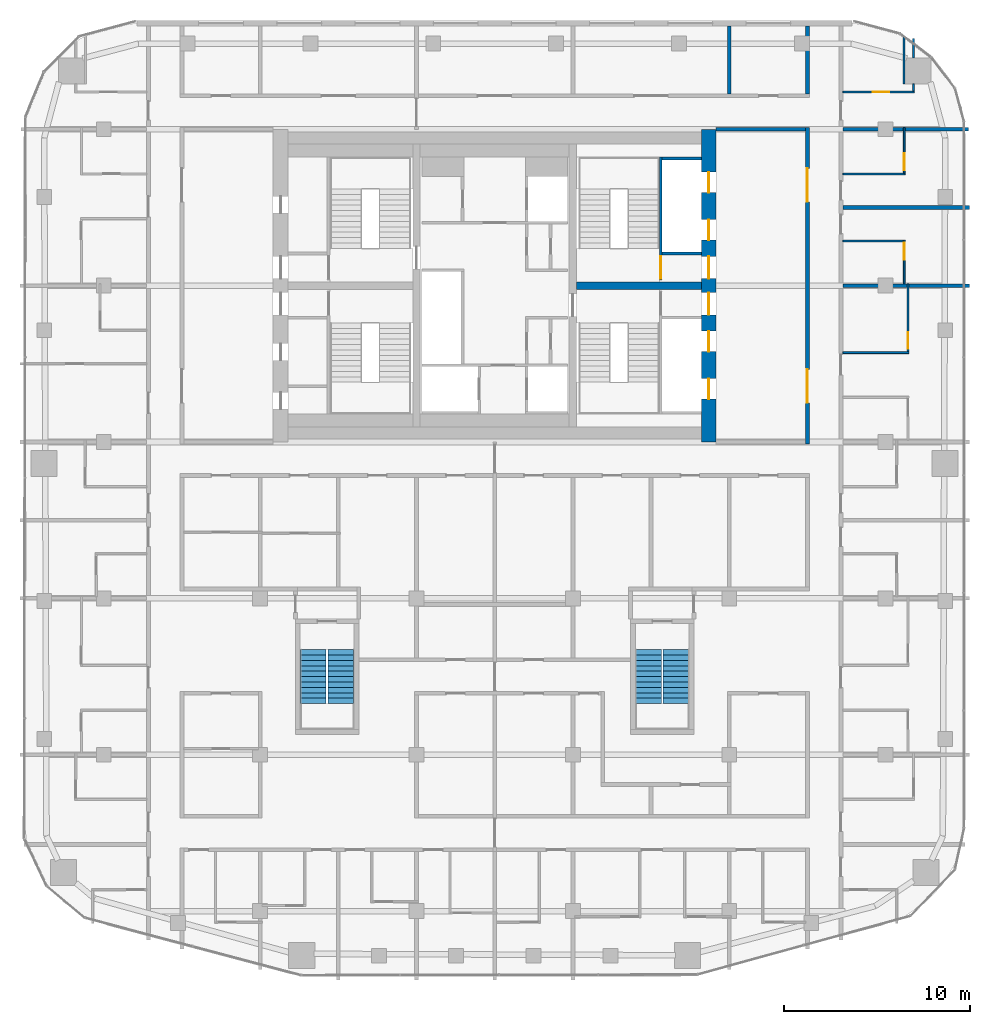
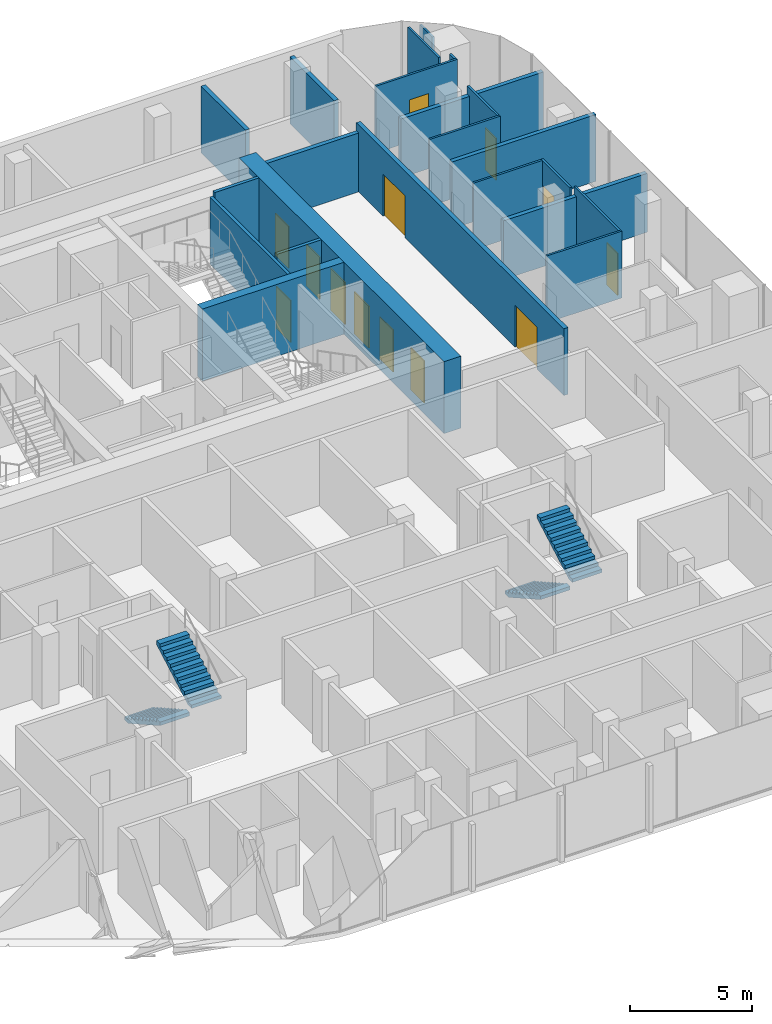
# One storey, part 20 of 22: 22 walls, 13 doors, 4 stair flights, 13 openings, 2 elements without a shape of their own.
"""IFC4 building model written with IfcOpenShell, lengths in metres."""

from ifc_helpers import new_model, si_unit, direction, frame, frame_2d, origin, place, context, subcontext, project, spatial, polyline, rectangle, outline, extrude, material, layer, layer_set, type_object, element, fill, aggregate, save


model = new_model("IFC4")

# Units and contexts
model_context = context("Model", 3, precision=1e-05, world=origin(), true_north=direction((0.0, 1.0)))
body_context = subcontext(model_context, "Body", "Model", "MODEL_VIEW")
ifc_project = project(units=[si_unit("LENGTHUNIT", "METRE"), si_unit("AREAUNIT", "SQUARE_METRE"), si_unit("VOLUMEUNIT", "CUBIC_METRE"), si_unit("PLANEANGLEUNIT", "RADIAN"), si_unit("MASSUNIT", "GRAM", prefix="KILO")], contexts=[model_context])

# Site, building, storey
site_placement = place(None, origin())
site = spatial("IfcSite", under=ifc_project, at=site_placement, CompositionType="ELEMENT")
building_placement = place(site_placement, origin())
building = spatial("IfcBuilding", under=site, at=building_placement, Name="Marenta Gate Hotel Tower", CompositionType="ELEMENT")
storey_placement = place(building_placement, frame((0.0, 0.0, 209.300048828125)))
storey = spatial("IfcBuildingStorey", under=building, at=storey_placement, Name="L48", CompositionType="ELEMENT", Elevation=209.300048828125)

# Wall, openings, doors
ifc_material_1 = material(Name="Concrete blockwork", Category="masonry")
ifc_layer_1 = layer(ifc_material_1, 0.199951171875)
ifc_layer_set_1 = layer_set([ifc_layer_1], Name="Concrete blockwork")
wall_type_1 = type_object("IfcWallType", Name="Core boundary wall 200 REI 180", PredefinedType="PARTITIONING", material=ifc_layer_set_1)
wall_1_placement = place(storey_placement, frame((16.800048828125, -0.10009765625, 0.0), z_axis=(0.0, 0.0, 1.0), x_axis=(0.0, 1.0, 0.0)))
wall_1 = element("IfcWall", 1, at=wall_1_placement, inside=storey, type_object=wall_type_1, Name="L48-CP-BW-E", PredefinedType="PARTITIONING", context=body_context, shape_type="SweptSolid", body=[
    extrude(rectangle(XDim=17.0, YDim=0.199951171875, at=frame_2d((8.5, 0.0))), origin(), (0.0, 0.0, 1.0), 3.33984375),
])
opening_1_placement = place(wall_1_placement, frame((2.199951171875, 0.0, 0.0)))
opening_1 = element("IfcOpeningElement", 2, at=opening_1_placement, cuts=wall_1, Name="Opening ED-Ea-B", PredefinedType="OPENING", context=body_context, shape_type="SweptSolid", body=[
    extrude(rectangle(XDim=1.800048828125, YDim=2.10009765625, at=frame_2d((0.89990234375, 1.050048828125))), frame((0.0, 0.10009765625, 0.0), z_axis=(0.0, -1.0, 0.0), x_axis=(1.0, 0.0, 0.0)), (0.0, 0.0, 1.0), 0.199951171875),
])
opening_2_placement = place(wall_1_placement, frame((13.0, 0.0, 0.0)))
opening_2 = element("IfcOpeningElement", 3, at=opening_2_placement, cuts=wall_1, Name="Opening ED-Eb-B", PredefinedType="OPENING", context=body_context, shape_type="SweptSolid", body=[
    extrude(rectangle(XDim=1.800048828125, YDim=2.10009765625, at=frame_2d((0.89990234375, 1.050048828125))), frame((0.0, 0.10009765625, 0.0), z_axis=(0.0, -1.0, 0.0), x_axis=(1.0, 0.0, 0.0)), (0.0, 0.0, 1.0), 0.199951171875),
])
ifc_material_2 = material(Name="Steel", Category="steel")
door_type_1 = type_object("IfcDoorType", Name="Core lobby entrance door 1800x2100 EI 60", OperationType="DOUBLE_DOOR_SINGLE_SWING", PredefinedType="DOOR", material=ifc_material_2)
door_1_placement = place(opening_1_placement, origin())
door_1 = element("IfcDoor", 4, at=door_1_placement, inside=storey, type_object=door_type_1, Name="ED-Ea-B", OperationType="DOUBLE_DOOR_SINGLE_SWING", OverallHeight=2.10009765625, OverallWidth=1.800048828125, PredefinedType="DOOR", context=body_context, shape_type="SweptSolid", body=[
    extrude(rectangle(XDim=1.800048828125, YDim=2.10009765625, at=frame_2d((0.89990234375, 1.050048828125))), frame((0.0, 0.02490234375, 0.0), z_axis=(0.0, -1.0, 0.0), x_axis=(1.0, 0.0, 0.0)), (0.0, 0.0, 1.0), 0.050048828125),
])
fill(opening_1, door_1)
door_2_placement = place(opening_2_placement, origin())
door_2 = element("IfcDoor", 5, at=door_2_placement, inside=storey, type_object=door_type_1, Name="ED-Eb-B", OperationType="DOUBLE_DOOR_SINGLE_SWING", OverallHeight=2.10009765625, OverallWidth=1.800048828125, PredefinedType="DOOR", context=body_context, shape_type="SweptSolid", body=[
    extrude(rectangle(XDim=1.800048828125, YDim=2.10009765625, at=frame_2d((0.89990234375, 1.050048828125))), frame((0.0, 0.02490234375, 0.0), z_axis=(0.0, -1.0, 0.0), x_axis=(1.0, 0.0, 0.0)), (0.0, 0.0, 1.0), 0.050048828125),
])
fill(opening_2, door_2)

# Walls
wall_2_placement = place(storey_placement, frame((11.89990234375, 16.800048828125, 0.0), z_axis=(0.0, 0.0, 1.0), x_axis=(1.0, 0.0, 0.0)))
element("IfcWall", 6, at=wall_2_placement, inside=storey, type_object=wall_type_1, Name="L48-CP-EW-EN", PredefinedType="PARTITIONING", context=body_context, shape_type="SweptSolid", body=[
    extrude(rectangle(XDim=4.800048828125, YDim=0.199951171875, at=frame_2d((2.39990234375, 0.0))), origin(), (0.0, 0.0, 1.0), 2.93994140625),
])
ifc_material_3 = material(Name="Concrete C40", Category="concrete")
ifc_layer_2 = layer(ifc_material_3, 0.14990234375)
ifc_layer_set_2 = layer_set([ifc_layer_2], Name="Concrete C40")
wall_type_2 = type_object("IfcWallType", Name="Core shaft wall 150 REI 180", PredefinedType="SHEAR", material=ifc_layer_set_2)
for number, where, z_axis, x_axis, name in (
    (7, (9.0, 10.125, 0.0), (0.0, 0.0, 1.0), (1.0, 0.0, 0.0), "L48-SHF-SW-EN-2"),
    (8, (9.0, 15.22509765625, 0.0), (0.0, 0.0, 1.0), (1.0, 0.0, 0.0), "L48-SHF-SW-EN-5"),
):
    element("IfcWall", number, at=place(storey_placement, frame(where, z_axis=z_axis, x_axis=x_axis)), inside=storey, type_object=wall_type_2, Name=name, PredefinedType="SHEAR", context=body_context, shape_type="SweptSolid", body=[
        extrude(rectangle(XDim=2.10009765625, YDim=0.14990234375, at=frame_2d((1.050048828125, 0.0))), origin(), (0.0, 0.0, 1.0), 3.599853515625),
    ])

# Wall, opening, door
ifc_material_4 = material(Name="Concrete C40", Category="concrete")
ifc_layer_3 = layer(ifc_material_4, 0.14990234375)
ifc_layer_set_3 = layer_set([ifc_layer_3], Name="Concrete C40")
wall_type_3 = type_object("IfcWallType", Name="Core stair enclosure wall 150 REI 180", PredefinedType="SHEAR", material=ifc_layer_set_3)
wall_3_placement = place(storey_placement, frame((8.925048828125, 8.699951171875, 0.0), z_axis=(0.0, 0.0, 1.0), x_axis=(0.0, 1.0, 0.0)))
wall_3 = element("IfcWall", 9, at=wall_3_placement, inside=storey, type_object=wall_type_3, Name="L48-SHF-SW-EN-3", PredefinedType="SHEAR", context=body_context, shape_type="SweptSolid", body=[
    extrude(rectangle(XDim=6.60009765625, YDim=0.14990234375, at=frame_2d((3.300048828125, 0.0))), origin(), (0.0, 0.0, 1.0), 3.33984375),
])
opening_3_placement = place(wall_3_placement, frame((0.074951171875, 0.0, 0.0)))
opening_3 = element("IfcOpeningElement", 10, at=opening_3_placement, cuts=wall_3, Name="Opening SD-EN", PredefinedType="OPENING", context=body_context, shape_type="SweptSolid", body=[
    extrude(rectangle(XDim=1.199951171875, YDim=2.10009765625, at=frame_2d((0.60009765625, 1.050048828125))), frame((0.0, 0.074951171875, 0.0), z_axis=(0.0, -1.0, 0.0), x_axis=(1.0, 0.0, 0.0)), (0.0, 0.0, 1.0), 0.14990234375),
])
ifc_material_5 = material(Name="Steel", Category="steel")
door_type_2 = type_object("IfcDoorType", Name="Core stair door 1200x2100 FD60", OperationType="SINGLE_SWING_LEFT", PredefinedType="DOOR", material=ifc_material_5)
door_3_placement = place(opening_3_placement, origin())
door_3 = element("IfcDoor", 11, at=door_3_placement, inside=storey, type_object=door_type_2, Name="SD-EN", OperationType="SINGLE_SWING_LEFT", OverallHeight=2.10009765625, OverallWidth=1.199951171875, PredefinedType="DOOR", context=body_context, shape_type="SweptSolid", body=[
    extrude(rectangle(XDim=1.199951171875, YDim=2.10009765625, at=frame_2d((0.60009765625, 1.050048828125))), frame((0.0, 0.02490234375, 0.0), z_axis=(0.0, -1.0, 0.0), x_axis=(1.0, 0.0, 0.0)), (0.0, 0.0, 1.0), 0.050048828125),
])
fill(opening_3, door_3)

# Wall, openings, doors
ifc_material_6 = material(Name="Concrete C60", Category="concrete")
ifc_layer_4 = layer(ifc_material_6, 0.800048828125)
ifc_layer_set_4 = layer_set([ifc_layer_4], Name="Concrete C60")
wall_type_4 = type_object("IfcWallType", Name="Core wall 800 C60", PredefinedType="SHEAR", material=ifc_layer_set_4)
wall_4_placement = place(storey_placement, frame((11.5, 0.0, 0.0), z_axis=(0.0, 0.0, 1.0), x_axis=(0.0, 1.0, 0.0)))
wall_4 = element("IfcWall", 12, at=wall_4_placement, inside=storey, type_object=wall_type_4, Name="L48-CORE-E", PredefinedType="SHEAR", context=body_context, shape_type="SweptSolid", body=[
    extrude(rectangle(XDim=16.800048828125, YDim=0.800048828125, at=frame_2d((8.39990234375, 0.0))), origin(), (0.0, 0.0, 1.0), 3.599853515625),
])
opening_4_placement = place(wall_4_placement, frame((2.300048828125, 0.0, 0.0)))
opening_4 = element("IfcOpeningElement", 13, at=opening_4_placement, cuts=wall_4, Name="Opening LD-HR1", PredefinedType="OPENING", context=body_context, shape_type="SweptSolid", body=[
    extrude(rectangle(XDim=1.10009765625, YDim=2.10009765625, at=frame_2d((0.550048828125, 1.050048828125))), frame((0.0, 0.39990234375, 0.0), z_axis=(0.0, -1.0, 0.0), x_axis=(1.0, 0.0, 0.0)), (0.0, 0.0, 1.0), 0.800048828125),
])
opening_5_placement = place(wall_4_placement, frame((4.85009765625, 0.0, 0.0)))
opening_5 = element("IfcOpeningElement", 14, at=opening_5_placement, cuts=wall_4, Name="Opening LD-HR2", PredefinedType="OPENING", context=body_context, shape_type="SweptSolid", body=[
    extrude(rectangle(XDim=1.10009765625, YDim=2.10009765625, at=frame_2d((0.550048828125, 1.050048828125))), frame((0.0, 0.39990234375, 0.0), z_axis=(0.0, -1.0, 0.0), x_axis=(1.0, 0.0, 0.0)), (0.0, 0.0, 1.0), 0.800048828125),
])
opening_6_placement = place(wall_4_placement, frame((6.824951171875, 0.0, 0.0)))
opening_6 = element("IfcOpeningElement", 15, at=opening_6_placement, cuts=wall_4, Name="Opening PD-ES", PredefinedType="OPENING", context=body_context, shape_type="SweptSolid", body=[
    extrude(rectangle(XDim=1.199951171875, YDim=2.10009765625, at=frame_2d((0.60009765625, 1.050048828125))), frame((0.0, 0.39990234375, 0.0), z_axis=(0.0, -1.0, 0.0), x_axis=(1.0, 0.0, 0.0)), (0.0, 0.0, 1.0), 0.800048828125),
])
opening_7_placement = place(wall_4_placement, frame((13.39990234375, 0.0, 0.0)))
opening_7 = element("IfcOpeningElement", 16, at=opening_7_placement, cuts=wall_4, Name="Opening LD-HR4", PredefinedType="OPENING", context=body_context, shape_type="SweptSolid", body=[
    extrude(rectangle(XDim=1.10009765625, YDim=2.10009765625, at=frame_2d((0.550048828125, 1.050048828125))), frame((0.0, 0.39990234375, 0.0), z_axis=(0.0, -1.0, 0.0), x_axis=(1.0, 0.0, 0.0)), (0.0, 0.0, 1.0), 0.800048828125),
])
opening_8_placement = place(wall_4_placement, frame((10.85009765625, 0.0, 0.0)))
opening_8 = element("IfcOpeningElement", 17, at=opening_8_placement, cuts=wall_4, Name="Opening LD-HR3", PredefinedType="OPENING", context=body_context, shape_type="SweptSolid", body=[
    extrude(rectangle(XDim=1.10009765625, YDim=2.10009765625, at=frame_2d((0.550048828125, 1.050048828125))), frame((0.0, 0.39990234375, 0.0), z_axis=(0.0, -1.0, 0.0), x_axis=(1.0, 0.0, 0.0)), (0.0, 0.0, 1.0), 0.800048828125),
])
opening_9_placement = place(wall_4_placement, frame((8.77490234375, 0.0, 0.0)))
opening_9 = element("IfcOpeningElement", 18, at=opening_9_placement, cuts=wall_4, Name="Opening PD-EN", PredefinedType="OPENING", context=body_context, shape_type="SweptSolid", body=[
    extrude(rectangle(XDim=1.199951171875, YDim=2.10009765625, at=frame_2d((0.60009765625, 1.050048828125))), frame((0.0, 0.39990234375, 0.0), z_axis=(0.0, -1.0, 0.0), x_axis=(1.0, 0.0, 0.0)), (0.0, 0.0, 1.0), 0.800048828125),
])
ifc_material_7 = material(Name="Steel", Category="steel")
door_type_3 = type_object("IfcDoorType", Name="Core lift landing door 1100x2100 E 60", OperationType="SLIDING_TO_LEFT", PredefinedType="DOOR", material=ifc_material_7)
door_4_placement = place(opening_4_placement, origin())
door_4 = element("IfcDoor", 19, at=door_4_placement, inside=storey, type_object=door_type_3, Name="LD-HR1", OperationType="SLIDING_TO_LEFT", OverallHeight=2.10009765625, OverallWidth=1.10009765625, PredefinedType="DOOR", context=body_context, shape_type="SweptSolid", body=[
    extrude(rectangle(XDim=1.10009765625, YDim=2.10009765625, at=frame_2d((0.550048828125, 1.050048828125))), frame((0.0, 0.02490234375, 0.0), z_axis=(0.0, -1.0, 0.0), x_axis=(1.0, 0.0, 0.0)), (0.0, 0.0, 1.0), 0.050048828125),
])
fill(opening_4, door_4)
door_5_placement = place(opening_5_placement, origin())
door_5 = element("IfcDoor", 20, at=door_5_placement, inside=storey, type_object=door_type_3, Name="LD-HR2", OperationType="SLIDING_TO_LEFT", OverallHeight=2.10009765625, OverallWidth=1.10009765625, PredefinedType="DOOR", context=body_context, shape_type="SweptSolid", body=[
    extrude(rectangle(XDim=1.10009765625, YDim=2.10009765625, at=frame_2d((0.550048828125, 1.050048828125))), frame((0.0, 0.02490234375, 0.0), z_axis=(0.0, -1.0, 0.0), x_axis=(1.0, 0.0, 0.0)), (0.0, 0.0, 1.0), 0.050048828125),
])
fill(opening_5, door_5)
door_6_placement = place(opening_7_placement, origin())
door_6 = element("IfcDoor", 21, at=door_6_placement, inside=storey, type_object=door_type_3, Name="LD-HR4", OperationType="SLIDING_TO_LEFT", OverallHeight=2.10009765625, OverallWidth=1.10009765625, PredefinedType="DOOR", context=body_context, shape_type="SweptSolid", body=[
    extrude(rectangle(XDim=1.10009765625, YDim=2.10009765625, at=frame_2d((0.550048828125, 1.050048828125))), frame((0.0, 0.02490234375, 0.0), z_axis=(0.0, -1.0, 0.0), x_axis=(1.0, 0.0, 0.0)), (0.0, 0.0, 1.0), 0.050048828125),
])
fill(opening_7, door_6)
door_7_placement = place(opening_8_placement, origin())
door_7 = element("IfcDoor", 22, at=door_7_placement, inside=storey, type_object=door_type_3, Name="LD-HR3", OperationType="SLIDING_TO_LEFT", OverallHeight=2.10009765625, OverallWidth=1.10009765625, PredefinedType="DOOR", context=body_context, shape_type="SweptSolid", body=[
    extrude(rectangle(XDim=1.10009765625, YDim=2.10009765625, at=frame_2d((0.550048828125, 1.050048828125))), frame((0.0, 0.02490234375, 0.0), z_axis=(0.0, -1.0, 0.0), x_axis=(1.0, 0.0, 0.0)), (0.0, 0.0, 1.0), 0.050048828125),
])
fill(opening_8, door_7)
ifc_material_8 = material(Name="Steel", Category="steel")
door_type_4 = type_object("IfcDoorType", Name="Core lobby door 1200x2100 FD60", OperationType="SINGLE_SWING_LEFT", PredefinedType="DOOR", material=ifc_material_8)
door_8_placement = place(opening_6_placement, origin())
door_8 = element("IfcDoor", 23, at=door_8_placement, inside=storey, type_object=door_type_4, Name="PD-ES", OperationType="SINGLE_SWING_LEFT", OverallHeight=2.10009765625, OverallWidth=1.199951171875, PredefinedType="DOOR", context=body_context, shape_type="SweptSolid", body=[
    extrude(rectangle(XDim=1.199951171875, YDim=2.10009765625, at=frame_2d((0.60009765625, 1.050048828125))), frame((0.0, 0.02490234375, 0.0), z_axis=(0.0, -1.0, 0.0), x_axis=(1.0, 0.0, 0.0)), (0.0, 0.0, 1.0), 0.050048828125),
])
fill(opening_6, door_8)
door_9_placement = place(opening_9_placement, origin())
door_9 = element("IfcDoor", 24, at=door_9_placement, inside=storey, type_object=door_type_4, Name="PD-EN", OperationType="SINGLE_SWING_LEFT", OverallHeight=2.10009765625, OverallWidth=1.199951171875, PredefinedType="DOOR", context=body_context, shape_type="SweptSolid", body=[
    extrude(rectangle(XDim=1.199951171875, YDim=2.10009765625, at=frame_2d((0.60009765625, 1.050048828125))), frame((0.0, 0.02490234375, 0.0), z_axis=(0.0, -1.0, 0.0), x_axis=(1.0, 0.0, 0.0)), (0.0, 0.0, 1.0), 0.050048828125),
])
fill(opening_9, door_9)

# Walls
ifc_material_9 = material(Name="Concrete C60", Category="concrete")
ifc_layer_5 = layer(ifc_material_9, 0.39990234375)
ifc_layer_set_5 = layer_set([ifc_layer_5], Name="Concrete C60")
wall_type_5 = type_object("IfcWallType", Name="Core web 400 C60", PredefinedType="SHEAR", material=ifc_layer_set_5)
wall_5_placement = place(storey_placement, frame((4.39990234375, 8.39990234375, 0.0), z_axis=(0.0, 0.0, 1.0), x_axis=(1.0, 0.0, 0.0)))
element("IfcWall", 25, at=wall_5_placement, inside=storey, type_object=wall_type_5, Name="L48-CORE-W4", PredefinedType="SHEAR", context=body_context, shape_type="SweptSolid", body=[
    extrude(rectangle(XDim=6.7001953125, YDim=0.39990234375, at=frame_2d((3.35009765625, 0.0))), origin(), (0.0, 0.0, 1.0), 3.599853515625),
])
ifc_material_10 = material(Name="Gypsum board on steel stud", Category="steel")
ifc_layer_6 = layer(ifc_material_10, 0.199951171875)
ifc_layer_set_6 = layer_set([ifc_layer_6], Name="Gypsum board on steel stud")
wall_type_6 = type_object("IfcWallType", Name="Room corridor wall 200 EI 60", PredefinedType="PARTITIONING", material=ifc_layer_set_6)
wall_6_placement = place(storey_placement, frame((16.800048828125, 18.699951171875, 0.0), z_axis=(0.0, 0.0, 1.0), x_axis=(0.0, 1.0, 0.0)))
element("IfcWall", 26, at=wall_6_placement, inside=storey, type_object=wall_type_6, Name="L48-PTN-W034", PredefinedType="PARTITIONING", context=body_context, shape_type="SweptSolid", body=[
    extrude(rectangle(XDim=3.64013671875, YDim=0.199951171875, at=frame_2d((1.820068359375, 0.0))), origin(), (0.0, 0.0, 1.0), 3.33984375),
])
ifc_material_11 = material(Name="Gypsum board on steel stud", Category="steel")
ifc_layer_7 = layer(ifc_material_11, 0.10009765625)
ifc_layer_set_7 = layer_set([ifc_layer_7], Name="Gypsum board on steel stud")
wall_type_7 = type_object("IfcWallType", Name="Room partition 100", PredefinedType="PARTITIONING", material=ifc_layer_set_7)
wall_7_placement = place(storey_placement, frame((22.5, 18.85009765625, 0.0), z_axis=(0.0, 0.0, 1.0), x_axis=(0.0, 1.0, 0.0)))
element("IfcWall", 27, at=wall_7_placement, inside=storey, type_object=wall_type_7, Name="L48-PTN-W012", PredefinedType="PARTITIONING", context=body_context, shape_type="SweptSolid", body=[
    extrude(rectangle(XDim=0.385986328125, YDim=0.10009765625, at=frame_2d((0.19287109375, 0.0))), origin(), (0.0, 0.0, 1.0), 3.33984375),
])
wall_8_placement = place(storey_placement, frame((22.5, 20.635986328125, 0.0), z_axis=(0.0, 0.0, 1.0), x_axis=(0.0, 1.0, 0.0)))
element("IfcWall", 28, at=wall_8_placement, inside=storey, type_object=wall_type_7, Name="L48-PTN-W132", PredefinedType="PARTITIONING", context=body_context, shape_type="SweptSolid", body=[
    extrude(rectangle(XDim=1.030029296875, YDim=0.10009765625, at=frame_2d((0.51513671875, 0.0))), origin(), (0.0, 0.0, 1.0), 3.33984375),
])

# Wall, opening, door
wall_9_placement = place(storey_placement, frame((22.199951171875, 4.85009765625, 0.0), z_axis=(0.0, 0.0, 1.0), x_axis=(0.0, 1.0, 0.0)))
wall_9 = element("IfcWall", 29, at=wall_9_placement, inside=storey, type_object=wall_type_7, Name="L48-PTN-W016", PredefinedType="PARTITIONING", context=body_context, shape_type="SweptSolid", body=[
    extrude(rectangle(XDim=3.64990234375, YDim=0.10009765625, at=frame_2d((1.824951171875, 0.0))), origin(), (0.0, 0.0, 1.0), 3.33984375),
])
opening_10_placement = place(wall_9_placement, frame((0.14990234375, 0.0, 0.0)))
opening_10 = element("IfcOpeningElement", 30, at=opening_10_placement, cuts=wall_9, Name="Opening G17-28", PredefinedType="OPENING", context=body_context, shape_type="SweptSolid", body=[
    extrude(rectangle(XDim=0.89990234375, YDim=2.10009765625, at=frame_2d((0.449951171875, 1.050048828125))), frame((0.0, 0.050048828125, 0.0), z_axis=(0.0, -1.0, 0.0), x_axis=(1.0, 0.0, 0.0)), (0.0, 0.0, 1.0), 0.10009765625),
])
ifc_material_12 = material(Name="Timber door leaf", Category="wood")
door_type_5 = type_object("IfcDoorType", Name="Guest bathroom door 900x2100", OperationType="NOTDEFINED", PredefinedType="DOOR", material=ifc_material_12)
door_10_placement = place(opening_10_placement, origin())
door_10 = element("IfcDoor", 31, at=door_10_placement, inside=storey, type_object=door_type_5, Name="L48-PD-D028", OperationType="SINGLE_SWING_LEFT", OverallHeight=2.10009765625, OverallWidth=0.89990234375, PredefinedType="DOOR", context=body_context, shape_type="SweptSolid", body=[
    extrude(rectangle(XDim=0.89990234375, YDim=2.10009765625, at=frame_2d((0.449951171875, 1.050048828125))), frame((0.0, 0.02490234375, 0.0), z_axis=(0.0, -1.0, 0.0), x_axis=(1.0, 0.0, 0.0)), (0.0, 0.0, 1.0), 0.050048828125),
])
fill(opening_10, door_10)

wall_10_placement = place(storey_placement, frame((22.0, 8.5, 0.0), z_axis=(0.0, 0.0, 1.0), x_axis=(0.0, 1.0, 0.0)))
wall_10 = element("IfcWall", 32, at=wall_10_placement, inside=storey, type_object=wall_type_7, Name="L48-PTN-W017", PredefinedType="PARTITIONING", context=body_context, shape_type="SweptSolid", body=[
    extrude(rectangle(XDim=2.35009765625, YDim=0.10009765625, at=frame_2d((1.175048828125, 0.0))), origin(), (0.0, 0.0, 1.0), 3.33984375),
])
opening_11_placement = place(wall_10_placement, frame((1.300048828125, 0.0, 0.0)))
opening_11 = element("IfcOpeningElement", 33, at=opening_11_placement, cuts=wall_10, Name="Opening G17-31", PredefinedType="OPENING", context=body_context, shape_type="SweptSolid", body=[
    extrude(rectangle(XDim=0.89990234375, YDim=2.10009765625, at=frame_2d((0.449951171875, 1.050048828125))), frame((0.0, 0.050048828125, 0.0), z_axis=(0.0, -1.0, 0.0), x_axis=(1.0, 0.0, 0.0)), (0.0, 0.0, 1.0), 0.10009765625),
])
door_11_placement = place(opening_11_placement, origin())
door_11 = element("IfcDoor", 34, at=door_11_placement, inside=storey, type_object=door_type_5, Name="L48-PD-D031", OperationType="SINGLE_SWING_RIGHT", OverallHeight=2.10009765625, OverallWidth=0.89990234375, PredefinedType="DOOR", context=body_context, shape_type="SweptSolid", body=[
    extrude(rectangle(XDim=0.89990234375, YDim=2.10009765625, at=frame_2d((0.449951171875, 1.050048828125))), frame((0.0, 0.02490234375, 0.0), z_axis=(0.0, -1.0, 0.0), x_axis=(1.0, 0.0, 0.0)), (0.0, 0.0, 1.0), 0.050048828125),
])
fill(opening_11, door_11)

wall_11_placement = place(storey_placement, frame((22.0, 14.449951171875, 0.0), z_axis=(0.0, 0.0, 1.0), x_axis=(0.0, 1.0, 0.0)))
wall_11 = element("IfcWall", 35, at=wall_11_placement, inside=storey, type_object=wall_type_7, Name="L48-PTN-W018", PredefinedType="PARTITIONING", context=body_context, shape_type="SweptSolid", body=[
    extrude(rectangle(XDim=2.449951171875, YDim=0.10009765625, at=frame_2d((1.22509765625, 0.0))), origin(), (0.0, 0.0, 1.0), 3.33984375),
])
opening_12_placement = place(wall_11_placement, frame((0.14990234375, 0.0, 0.0)))
opening_12 = element("IfcOpeningElement", 36, at=opening_12_placement, cuts=wall_11, Name="Opening G17-33", PredefinedType="OPENING", context=body_context, shape_type="SweptSolid", body=[
    extrude(rectangle(XDim=0.89990234375, YDim=2.10009765625, at=frame_2d((0.449951171875, 1.050048828125))), frame((0.0, 0.050048828125, 0.0), z_axis=(0.0, -1.0, 0.0), x_axis=(1.0, 0.0, 0.0)), (0.0, 0.0, 1.0), 0.10009765625),
])
door_12_placement = place(opening_12_placement, origin())
door_12 = element("IfcDoor", 37, at=door_12_placement, inside=storey, type_object=door_type_5, Name="L48-PD-D033", OperationType="SINGLE_SWING_LEFT", OverallHeight=2.10009765625, OverallWidth=0.89990234375, PredefinedType="DOOR", context=body_context, shape_type="SweptSolid", body=[
    extrude(rectangle(XDim=0.89990234375, YDim=2.10009765625, at=frame_2d((0.449951171875, 1.050048828125))), frame((0.0, 0.02490234375, 0.0), z_axis=(0.0, -1.0, 0.0), x_axis=(1.0, 0.0, 0.0)), (0.0, 0.0, 1.0), 0.050048828125),
])
fill(opening_12, door_12)

# Walls
wall_12_placement = place(storey_placement, frame((18.699951171875, 4.800048828125, 0.0), z_axis=(0.0, 0.0, 1.0), x_axis=(1.0, 0.0, 0.0)))
element("IfcWall", 38, at=wall_12_placement, inside=storey, type_object=wall_type_7, Name="L48-PTN-W092", PredefinedType="PARTITIONING", context=body_context, shape_type="SweptSolid", body=[
    extrude(rectangle(XDim=3.550048828125, YDim=0.10009765625, at=frame_2d((1.77490234375, 0.0))), origin(), (0.0, 0.0, 1.0), 3.33984375),
])
wall_13_placement = place(storey_placement, frame((18.699951171875, 10.800048828125, 0.0), z_axis=(0.0, 0.0, 1.0), x_axis=(1.0, 0.0, 0.0)))
element("IfcWall", 39, at=wall_13_placement, inside=storey, type_object=wall_type_7, Name="L48-PTN-W102", PredefinedType="PARTITIONING", context=body_context, shape_type="SweptSolid", body=[
    extrude(rectangle(XDim=3.25, YDim=0.10009765625, at=frame_2d((1.625, 0.0))), origin(), (0.0, 0.0, 1.0), 3.33984375),
])
wall_14_placement = place(storey_placement, frame((18.699951171875, 14.39990234375, 0.0), z_axis=(0.0, 0.0, 1.0), x_axis=(1.0, 0.0, 0.0)))
element("IfcWall", 40, at=wall_14_placement, inside=storey, type_object=wall_type_7, Name="L48-PTN-W110", PredefinedType="PARTITIONING", context=body_context, shape_type="SweptSolid", body=[
    extrude(rectangle(XDim=3.35009765625, YDim=0.10009765625, at=frame_2d((1.675048828125, 0.0))), origin(), (0.0, 0.0, 1.0), 3.33984375),
])

# Wall, opening, door
wall_15_placement = place(storey_placement, frame((18.699951171875, 18.800048828125, 0.0), z_axis=(0.0, 0.0, 1.0), x_axis=(1.0, 0.0, 0.0)))
wall_15 = element("IfcWall", 41, at=wall_15_placement, inside=storey, type_object=wall_type_7, Name="L48-PTN-W121", PredefinedType="PARTITIONING", context=body_context, shape_type="SweptSolid", body=[
    extrude(rectangle(XDim=3.85009765625, YDim=0.10009765625, at=frame_2d((1.925048828125, 0.0))), origin(), (0.0, 0.0, 1.0), 3.33984375),
])
opening_13_placement = place(wall_15_placement, frame((1.594970703125, 0.0, 0.0)))
opening_13 = element("IfcOpeningElement", 42, at=opening_13_placement, cuts=wall_15, Name="Opening G17-35", PredefinedType="OPENING", context=body_context, shape_type="SweptSolid", body=[
    extrude(rectangle(XDim=0.89990234375, YDim=2.10009765625, at=frame_2d((0.449951171875, 1.050048828125))), frame((0.0, 0.050048828125, 0.0), z_axis=(0.0, -1.0, 0.0), x_axis=(1.0, 0.0, 0.0)), (0.0, 0.0, 1.0), 0.10009765625),
])
door_13_placement = place(opening_13_placement, origin())
door_13 = element("IfcDoor", 43, at=door_13_placement, inside=storey, type_object=door_type_5, Name="L48-PD-D035", OperationType="SINGLE_SWING_RIGHT", OverallHeight=2.10009765625, OverallWidth=0.89990234375, PredefinedType="DOOR", context=body_context, shape_type="SweptSolid", body=[
    extrude(rectangle(XDim=0.89990234375, YDim=2.10009765625, at=frame_2d((0.449951171875, 1.050048828125))), frame((0.0, 0.02490234375, 0.0), z_axis=(0.0, -1.0, 0.0), x_axis=(1.0, 0.0, 0.0)), (0.0, 0.0, 1.0), 0.050048828125),
])
fill(opening_13, door_13)

# Walls
wall_16_placement = place(storey_placement, frame((21.985107421875, 19.236083984375, 0.0), z_axis=(0.0, 0.0, 1.0), x_axis=(0.0, 1.0, 0.0)))
element("IfcWall", 44, at=wall_16_placement, inside=storey, type_object=wall_type_7, Name="L48-PTN-W134", PredefinedType="PARTITIONING", context=body_context, shape_type="SweptSolid", body=[
    extrude(rectangle(XDim=2.512939453125, YDim=0.10009765625, at=frame_2d((1.25634765625, 0.0))), origin(), (0.0, 0.0, 1.0), 3.33984375),
])
ifc_material_13 = material(Name="Gypsum board on steel stud", Category="steel")
ifc_layer_8 = layer(ifc_material_13, 0.199951171875)
ifc_layer_set_8 = layer_set([ifc_layer_8], Name="Gypsum board on steel stud")
wall_type_8 = type_object("IfcWallType", Name="Room party wall 200 EI 60", PredefinedType="PARTITIONING", material=ifc_layer_set_8)
wall_17_placement = place(storey_placement, frame((12.60009765625, 18.699951171875, 0.0), z_axis=(0.0, 0.0, 1.0), x_axis=(0.0, 1.0, 0.0)))
element("IfcWall", 45, at=wall_17_placement, inside=storey, type_object=wall_type_8, Name="L48-PTN-W047", PredefinedType="PARTITIONING", context=body_context, shape_type="SweptSolid", body=[
    extrude(rectangle(XDim=3.64013671875, YDim=0.199951171875, at=frame_2d((1.820068359375, 0.0))), origin(), (0.0, 0.0, 1.0), 3.33984375),
])
wall_18_placement = place(storey_placement, frame((18.699951171875, 8.39990234375, 0.0), z_axis=(0.0, 0.0, 1.0), x_axis=(1.0, 0.0, 0.0)))
element("IfcWall", 46, at=wall_18_placement, inside=storey, type_object=wall_type_8, Name="L48-PTN-W099", PredefinedType="PARTITIONING", context=body_context, shape_type="SweptSolid", body=[
    extrude(rectangle(XDim=6.800048828125, YDim=0.199951171875, at=frame_2d((3.39990234375, 0.0))), origin(), (0.0, 0.0, 1.0), 2.93994140625),
])
wall_19_placement = place(storey_placement, frame((18.699951171875, 12.60009765625, 0.0), z_axis=(0.0, 0.0, 1.0), x_axis=(1.0, 0.0, 0.0)))
element("IfcWall", 47, at=wall_19_placement, inside=storey, type_object=wall_type_8, Name="L48-PTN-W108", PredefinedType="PARTITIONING", context=body_context, shape_type="SweptSolid", body=[
    extrude(rectangle(XDim=6.800048828125, YDim=0.199951171875, at=frame_2d((3.39990234375, 0.0))), origin(), (0.0, 0.0, 1.0), 3.33984375),
])
wall_20_placement = place(storey_placement, frame((18.699951171875, 16.800048828125, 0.0), z_axis=(0.0, 0.0, 1.0), x_axis=(1.0, 0.0, 0.0)))
element("IfcWall", 48, at=wall_20_placement, inside=storey, type_object=wall_type_8, Name="L48-PTN-W117", PredefinedType="PARTITIONING", context=body_context, shape_type="SweptSolid", body=[
    extrude(rectangle(XDim=6.7470703125, YDim=0.199951171875, at=frame_2d((3.37353515625, 0.0))), origin(), (0.0, 0.0, 1.0), 2.93994140625),
])

# Stair, stair flights
ifc_material_14 = material(Name="Concrete C40", Category="concrete")
stair_type = type_object("IfcStairType", Name="Remote exit stair 1400 wide", PredefinedType="HALF_TURN_STAIR", material=ifc_material_14)
stair_1_placement = place(storey_placement, origin())
stair_1 = element("IfcStair", 49, at=stair_1_placement, inside=storey, type_object=stair_type, Name="Exit stair RS-Z3-1", PredefinedType="HALF_TURN_STAIR")
ifc_material_15 = material(Name="Concrete C40", Category="concrete")
stair_flight_type = type_object("IfcStairFlightType", Name="Remote stair flight 1400 riser 163.6 going 290", PredefinedType="STRAIGHT", material=ifc_material_15)
stair_flight_1_placement = place(storey_placement, frame((-9.75, -11.14990234375, 0.0), z_axis=(0.0, 0.0, 1.0), x_axis=(0.0, -1.0, 0.0)))
stair_flight_1 = element("IfcStairFlight", 50, at=stair_flight_1_placement, type_object=stair_flight_type, Name="RS-Z3-1 flight 1", NumberOfRisers=11, NumberOfTreads=10, PredefinedType="STRAIGHT", RiserHeight=0.163636, TreadLength=0.29, context=body_context, shape_type="SweptSolid", body=[
    extrude(outline(polyline([(0.0, 0.0), (0.0, 0.16357421875), (0.2900390625, 0.16357421875), (0.2900390625, 0.327392578125), (0.580078125, 0.327392578125), (0.580078125, 0.490966796875), (0.8701171875, 0.490966796875), (0.8701171875, 0.654541015625), (1.159912109375, 0.654541015625), (1.159912109375, 0.818115234375), (1.449951171875, 0.818115234375), (1.449951171875, 0.98193359375), (1.739990234375, 0.98193359375), (1.739990234375, 1.1455078125), (2.030029296875, 1.1455078125), (2.030029296875, 1.30908203125), (2.320068359375, 1.30908203125), (2.320068359375, 1.47265625), (2.610107421875, 1.47265625), (2.610107421875, 1.636474609375), (2.89990234375, 1.636474609375), (2.89990234375, 1.800048828125), (2.89990234375, 1.46435546875), (0.304931640625, 0.0), (0.0, 0.0)])), frame((0.0, 0.699951171875, 0.0), z_axis=(0.0, -1.0, 0.0), x_axis=(1.0, 0.0, 0.0)), (0.0, 0.0, 1.0), 1.39990234375),
])
stair_flight_2_placement = place(storey_placement, frame((-8.25, -14.050048828125, 1.800048828125), z_axis=(0.0, 0.0, 1.0), x_axis=(0.0, 1.0, 0.0)))
stair_flight_2 = element("IfcStairFlight", 51, at=stair_flight_2_placement, type_object=stair_flight_type, Name="RS-Z3-1 flight 2", NumberOfRisers=11, NumberOfTreads=10, PredefinedType="STRAIGHT", RiserHeight=0.163636, TreadLength=0.29, context=body_context, shape_type="SweptSolid", body=[
    extrude(outline(polyline([(0.0, 0.0), (0.0, 0.16357421875), (0.2900390625, 0.16357421875), (0.2900390625, 0.327392578125), (0.580078125, 0.327392578125), (0.580078125, 0.490966796875), (0.8701171875, 0.490966796875), (0.8701171875, 0.654541015625), (1.159912109375, 0.654541015625), (1.159912109375, 0.818115234375), (1.449951171875, 0.818115234375), (1.449951171875, 0.98193359375), (1.739990234375, 0.98193359375), (1.739990234375, 1.1455078125), (2.030029296875, 1.1455078125), (2.030029296875, 1.30908203125), (2.320068359375, 1.30908203125), (2.320068359375, 1.47265625), (2.610107421875, 1.47265625), (2.610107421875, 1.636474609375), (2.89990234375, 1.636474609375), (2.89990234375, 1.800048828125), (2.89990234375, 1.46435546875), (0.304931640625, 0.0), (0.0, 0.0)])), frame((0.0, 0.699951171875, 0.0), z_axis=(0.0, -1.0, 0.0), x_axis=(1.0, 0.0, 0.0)), (0.0, 0.0, 1.0), 1.39990234375),
])
aggregate(stair_1, [stair_flight_1, stair_flight_2])

stair_2_placement = place(storey_placement, origin())
stair_2 = element("IfcStair", 52, at=stair_2_placement, inside=storey, type_object=stair_type, Name="Exit stair RS-Z3-2", PredefinedType="HALF_TURN_STAIR")
stair_flight_3_placement = place(storey_placement, frame((8.25, -11.14990234375, 0.0), z_axis=(0.0, 0.0, 1.0), x_axis=(0.0, -1.0, 0.0)))
stair_flight_3 = element("IfcStairFlight", 53, at=stair_flight_3_placement, type_object=stair_flight_type, Name="RS-Z3-2 flight 1", NumberOfRisers=11, NumberOfTreads=10, PredefinedType="STRAIGHT", RiserHeight=0.163636, TreadLength=0.29, context=body_context, shape_type="SweptSolid", body=[
    extrude(outline(polyline([(0.0, 0.0), (0.0, 0.16357421875), (0.2900390625, 0.16357421875), (0.2900390625, 0.327392578125), (0.580078125, 0.327392578125), (0.580078125, 0.490966796875), (0.8701171875, 0.490966796875), (0.8701171875, 0.654541015625), (1.159912109375, 0.654541015625), (1.159912109375, 0.818115234375), (1.449951171875, 0.818115234375), (1.449951171875, 0.98193359375), (1.739990234375, 0.98193359375), (1.739990234375, 1.1455078125), (2.030029296875, 1.1455078125), (2.030029296875, 1.30908203125), (2.320068359375, 1.30908203125), (2.320068359375, 1.47265625), (2.610107421875, 1.47265625), (2.610107421875, 1.636474609375), (2.89990234375, 1.636474609375), (2.89990234375, 1.800048828125), (2.89990234375, 1.46435546875), (0.304931640625, 0.0), (0.0, 0.0)])), frame((0.0, 0.699951171875, 0.0), z_axis=(0.0, -1.0, 0.0), x_axis=(1.0, 0.0, 0.0)), (0.0, 0.0, 1.0), 1.39990234375),
])
stair_flight_4_placement = place(storey_placement, frame((9.75, -14.050048828125, 1.800048828125), z_axis=(0.0, 0.0, 1.0), x_axis=(0.0, 1.0, 0.0)))
stair_flight_4 = element("IfcStairFlight", 54, at=stair_flight_4_placement, type_object=stair_flight_type, Name="RS-Z3-2 flight 2", NumberOfRisers=11, NumberOfTreads=10, PredefinedType="STRAIGHT", RiserHeight=0.163636, TreadLength=0.29, context=body_context, shape_type="SweptSolid", body=[
    extrude(outline(polyline([(0.0, 0.0), (0.0, 0.16357421875), (0.2900390625, 0.16357421875), (0.2900390625, 0.327392578125), (0.580078125, 0.327392578125), (0.580078125, 0.490966796875), (0.8701171875, 0.490966796875), (0.8701171875, 0.654541015625), (1.159912109375, 0.654541015625), (1.159912109375, 0.818115234375), (1.449951171875, 0.818115234375), (1.449951171875, 0.98193359375), (1.739990234375, 0.98193359375), (1.739990234375, 1.1455078125), (2.030029296875, 1.1455078125), (2.030029296875, 1.30908203125), (2.320068359375, 1.30908203125), (2.320068359375, 1.47265625), (2.610107421875, 1.47265625), (2.610107421875, 1.636474609375), (2.89990234375, 1.636474609375), (2.89990234375, 1.800048828125), (2.89990234375, 1.46435546875), (0.304931640625, 0.0), (0.0, 0.0)])), frame((0.0, 0.699951171875, 0.0), z_axis=(0.0, -1.0, 0.0), x_axis=(1.0, 0.0, 0.0)), (0.0, 0.0, 1.0), 1.39990234375),
])
aggregate(stair_2, [stair_flight_3, stair_flight_4])

save(model, "model.ifc")
